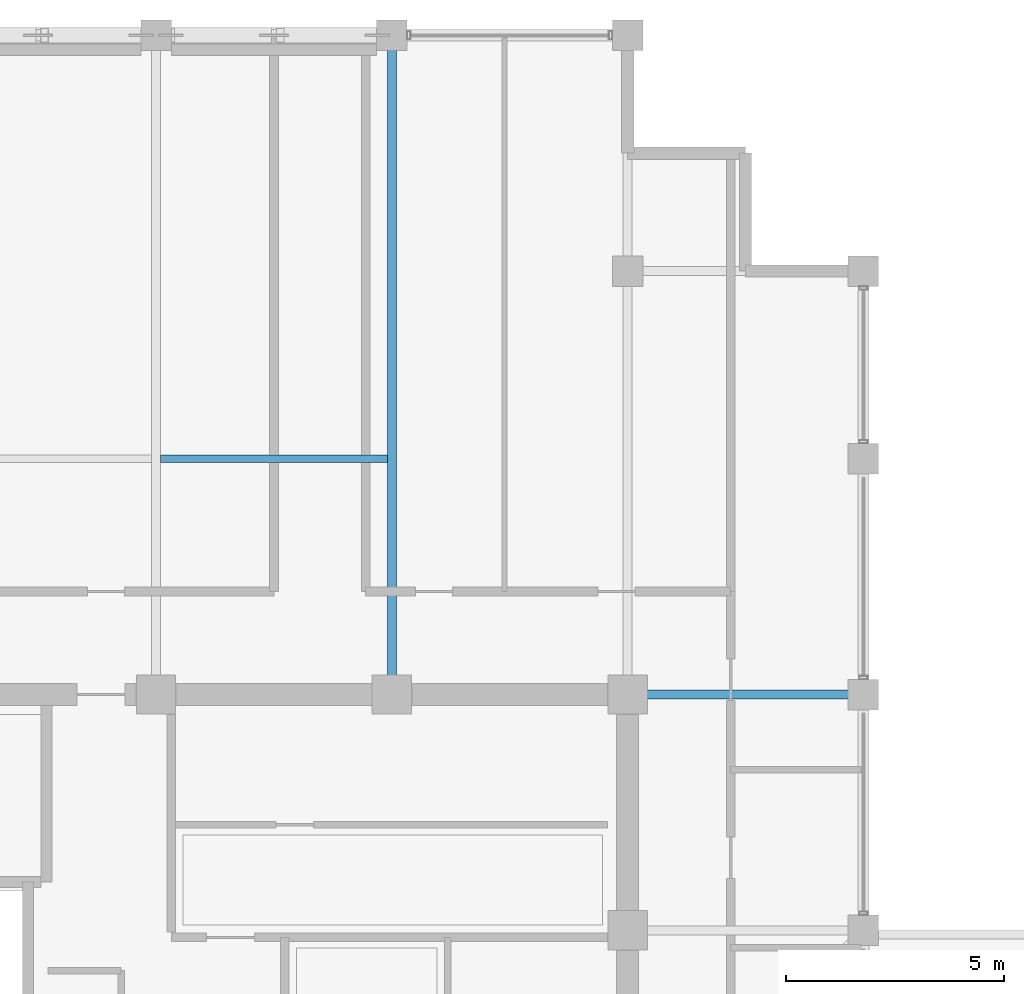
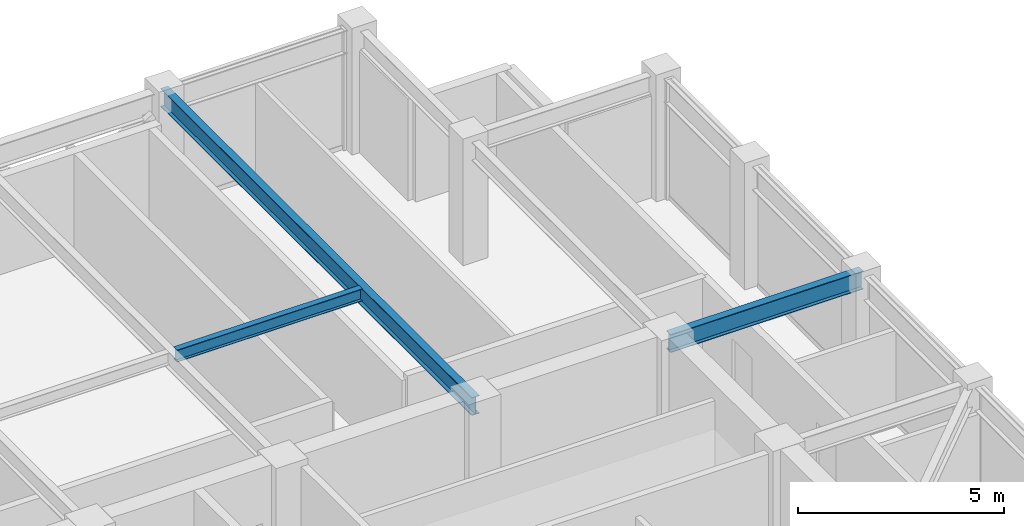
# One storey, part 18 of 31: 3 beams.
"""IFC4 building model written with IfcOpenShell, lengths in metres."""

from ifc_helpers import new_model, si_unit, direction, frame, origin, origin_2d, place, context, subcontext, project, spatial, i_section, extrude, material, material_profile, profile_set, type_object, element, save


model = new_model("IFC4")

# Units and contexts
model_context = context("Model", 3, precision=1e-05, world=origin(), true_north=direction((0.0, 1.0)))
body_context = subcontext(model_context, "Body", "Model", "MODEL_VIEW")
ifc_project = project(units=[si_unit("LENGTHUNIT", "METRE"), si_unit("AREAUNIT", "SQUARE_METRE"), si_unit("VOLUMEUNIT", "CUBIC_METRE"), si_unit("PLANEANGLEUNIT", "RADIAN"), si_unit("MASSUNIT", "GRAM", prefix="KILO")], contexts=[model_context])

# Site, building, storey
site_placement = place(None, origin())
site = spatial("IfcSite", under=ifc_project, at=site_placement, CompositionType="ELEMENT")
building_placement = place(site_placement, origin())
building = spatial("IfcBuilding", under=site, at=building_placement, Name="Surkhivell Harbour Commons", CompositionType="ELEMENT")
storey_placement = place(building_placement, frame((0.0, 0.0, 315.0)))
storey = spatial("IfcBuildingStorey", under=building, at=storey_placement, Name="L82", CompositionType="ELEMENT", Elevation=315.0)

# Beams
ifc_material = material(Name="Steel S355", Category="steel")
ifc_material_profile_1 = material_profile(ifc_material, i_section(OverallWidth=0.2099609375, OverallDepth=0.537109375, WebThickness=0.0107421875, FlangeThickness=0.017333984375, at=origin_2d()), Name="UB533x210x101")
ifc_profile_set_1 = profile_set([ifc_material_profile_1], Name="Steel S355")
beam_type_1 = type_object("IfcBeamType", Name="BM-GRD-533B", PredefinedType="BEAM", material=ifc_profile_set_1)
beam_1_placement = place(storey_placement, frame((5.39990234375, 10.800048828125, 3.301513671875), z_axis=(0.0, 1.0, 0.0), x_axis=(-1.0, 0.0, 0.0)))
element("IfcBeam", 1, at=beam_1_placement, inside=storey, type_object=beam_type_1, Name="L82 Floor Girder (5.4,10.8)", PredefinedType="BEAM", context=body_context, shape_type="SweptSolid", body=[
    extrude(i_section(OverallWidth=0.2099609375, OverallDepth=0.537109375, WebThickness=0.0107421875, FlangeThickness=0.017333984375, at=origin_2d()), origin(), (0.0, 0.0, 1.0), 15.099853515625),
])
beam_2_placement = place(storey_placement, frame((10.800048828125, 10.800048828125, 3.301513671875), z_axis=(1.0, 0.0, 0.0), x_axis=(0.0, 1.0, 0.0)))
element("IfcBeam", 2, at=beam_2_placement, inside=storey, type_object=beam_type_1, Name="L82 Floor Girder (10.8,10.8)", PredefinedType="BEAM", context=body_context, shape_type="SweptSolid", body=[
    extrude(i_section(OverallWidth=0.2099609375, OverallDepth=0.537109375, WebThickness=0.0107421875, FlangeThickness=0.017333984375, at=origin_2d()), origin(), (0.0, 0.0, 1.0), 5.39990234375),
])
ifc_material_profile_2 = material_profile(ifc_material, i_section(OverallWidth=0.172119140625, OverallDepth=0.35791015625, WebThickness=0.008056640625, FlangeThickness=0.012939453125, at=origin_2d()), Name="UB356x171x57")
ifc_profile_set_2 = profile_set([ifc_material_profile_2], Name="Steel S355")
beam_type_2 = type_object("IfcBeamType", Name="BM-JST-356", PredefinedType="JOIST", material=ifc_profile_set_2)
beam_3_placement = place(storey_placement, frame((0.10302734375, 16.199951171875, 3.39111328125), z_axis=(1.0, 0.0, 0.0), x_axis=(0.0, 1.0, 0.0)))
element("IfcBeam", 3, at=beam_3_placement, inside=storey, type_object=beam_type_2, Name="L82 North Composite Joist (0.0)", PredefinedType="JOIST", context=body_context, shape_type="SweptSolid", body=[
    extrude(i_section(OverallWidth=0.172119140625, OverallDepth=0.35791015625, WebThickness=0.008056640625, FlangeThickness=0.012939453125, at=origin_2d()), origin(), (0.0, 0.0, 1.0), 5.194091796875),
])

save(model, "model.ifc")
